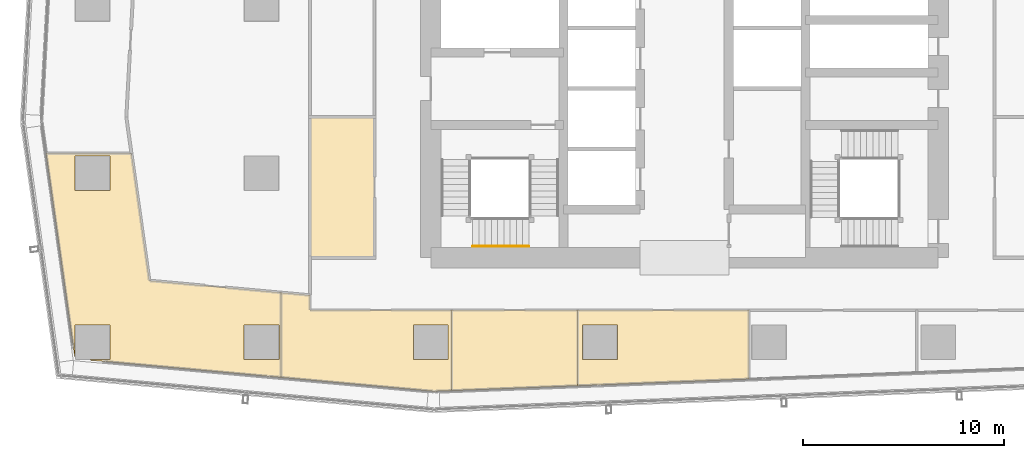
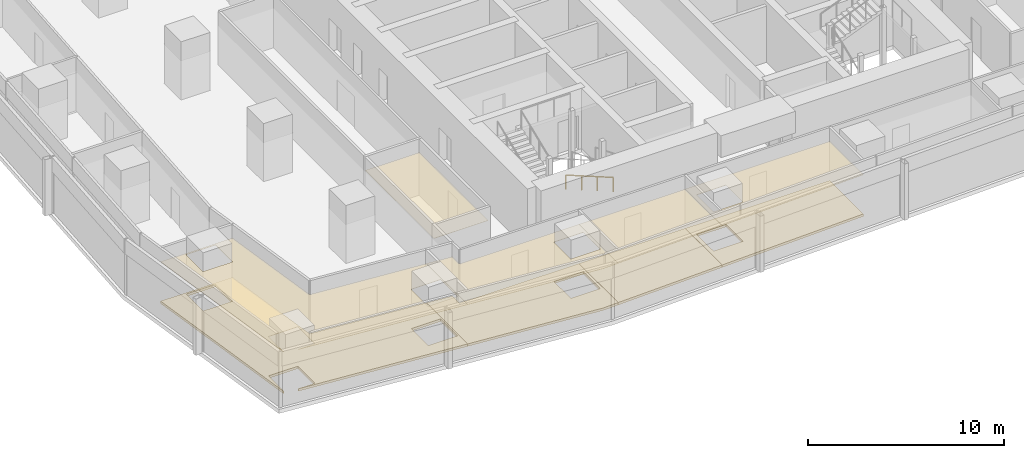
# One storey, part 33 of 40: 9 coverings, 1 railing.
"""IFC4 building model written with IfcOpenShell, lengths in metres."""

from ifc_helpers import new_model, si_unit, direction, frame, origin, origin_2d, place, context, subcontext, project, spatial, polyline, circle, outline, extrude, material, layer, layer_set, type_object, element, save


model = new_model("IFC4")

# Units and contexts
model_context = context("Model", 3, precision=1e-05, world=origin(), true_north=direction((0.0, 1.0)))
body_context = subcontext(model_context, "Body", "Model", "MODEL_VIEW")
ifc_project = project(units=[si_unit("LENGTHUNIT", "METRE"), si_unit("AREAUNIT", "SQUARE_METRE"), si_unit("VOLUMEUNIT", "CUBIC_METRE"), si_unit("PLANEANGLEUNIT", "RADIAN"), si_unit("MASSUNIT", "GRAM", prefix="KILO")], contexts=[model_context])

# Site, building, storey
site_placement = place(None, origin())
site = spatial("IfcSite", under=ifc_project, at=site_placement, CompositionType="ELEMENT")
building_placement = place(site_placement, origin())
building = spatial("IfcBuilding", under=site, at=building_placement, Name="Rekha Terrace Tower", CompositionType="ELEMENT")
storey_placement = place(building_placement, frame((0.0, 0.0, 125.300048828125)))
storey = spatial("IfcBuildingStorey", under=building, at=storey_placement, Name="L31", CompositionType="ELEMENT", Elevation=125.300048828125)

# Coverings
ifc_material_1 = material(Name="Mineral fibre tile in exposed grid", Category="finish")
ifc_layer_1 = layer(ifc_material_1, 0.02001953125)
ifc_layer_set_1 = layer_set([ifc_layer_1], Name="Mineral fibre tile in exposed grid")
covering_type_1 = type_object("IfcCoveringType", Name="CL1 600x1200 office grid ceiling", PredefinedType="CEILING", material=ifc_layer_set_1)
covering_1_placement = place(storey_placement, frame((0.0, 0.0, 2.579833984375)))
element("IfcCovering", 1, at=covering_1_placement, inside=storey, type_object=covering_type_1, Name="Ceiling L31-21", PredefinedType="CEILING", context=body_context, shape_type="SweptSolid", body=[
    extrude(outline(polyline([(7.514892578125, 16.096923828125), (7.534912109375, 16.097900390625), (7.534912109375, 17.6650390625), (9.264892578125, 17.6650390625), (9.264892578125, 15.93505859375), (8.283935546875, 15.93505859375), (8.282958984375, 15.912109375), (17.751953125, 15.052001953125), (17.751953125, 19.26904296875), (11.22607421875, 19.862060546875), (10.3359375, 26.176025390625), (6.094970703125, 26.176025390625), (7.514892578125, 16.096923828125)]), holes=[polyline([(17.6650390625, 15.93505859375), (15.93505859375, 15.93505859375), (15.93505859375, 17.6650390625), (17.6650390625, 17.6650390625), (17.6650390625, 15.93505859375)]), polyline([(9.264892578125, 24.3349609375), (7.534912109375, 24.3349609375), (7.534912109375, 26.06494140625), (9.264892578125, 26.06494140625), (9.264892578125, 24.3349609375)])]), origin(), (0.0, 0.0, 1.0), 0.02001953125),
])
covering_2_placement = place(storey_placement, frame((0.0, 0.0, 2.579833984375)))
element("IfcCovering", 2, at=covering_2_placement, inside=storey, type_object=covering_type_1, Name="Ceiling L31-22", PredefinedType="CEILING", context=body_context, shape_type="SweptSolid", body=[
    extrude(outline(polyline([(19.199951171875, 18.39990234375), (19.199951171875, 19.137939453125), (17.7529296875, 19.26904296875), (17.7529296875, 15.052001953125), (25.346923828125, 14.362060546875), (26.23388671875, 14.39697265625), (26.23388671875, 18.39990234375), (19.199951171875, 18.39990234375)]), holes=[polyline([(26.06494140625, 17.6650390625), (26.06494140625, 15.93505859375), (24.3349609375, 15.93505859375), (24.3349609375, 17.6650390625), (26.06494140625, 17.6650390625)])]), origin(), (0.0, 0.0, 1.0), 0.02001953125),
])
covering_3_placement = place(storey_placement, frame((0.0, 0.0, 2.579833984375)))
element("IfcCovering", 3, at=covering_3_placement, inside=storey, type_object=covering_type_1, Name="Ceiling L31-23", PredefinedType="CEILING", context=body_context, shape_type="SweptSolid", body=[
    extrude(outline(polyline([(26.235107421875, 18.39990234375), (26.235107421875, 14.39697265625), (32.493896484375, 14.639892578125), (32.493896484375, 18.39990234375), (26.235107421875, 18.39990234375)])), origin(), (0.0, 0.0, 1.0), 0.02001953125),
])
covering_4_placement = place(storey_placement, frame((0.0, 0.0, 2.579833984375)))
element("IfcCovering", 4, at=covering_4_placement, inside=storey, type_object=covering_type_1, Name="Ceiling L31-24", PredefinedType="CEILING", context=body_context, shape_type="SweptSolid", body=[
    extrude(outline(polyline([(32.4951171875, 18.39990234375), (32.4951171875, 14.639892578125), (41.0009765625, 14.970947265625), (41.0009765625, 18.39990234375), (32.4951171875, 18.39990234375)]), holes=[polyline([(34.465087890625, 15.93505859375), (32.735107421875, 15.93505859375), (32.735107421875, 17.6650390625), (34.465087890625, 17.6650390625), (34.465087890625, 15.93505859375)])]), origin(), (0.0, 0.0, 1.0), 0.02001953125),
])
ifc_material_2 = material(Name="Fibre cement board", Category="finish")
ifc_layer_2 = layer(ifc_material_2, 0.014892578125)
ifc_layer_set_2 = layer_set([ifc_layer_2], Name="Fibre cement board")
covering_type_2 = type_object("IfcCoveringType", Name="CL2 moisture-resistant board ceiling", PredefinedType="CEILING", material=ifc_layer_set_2)
covering_5_placement = place(storey_placement, frame((0.0, 0.0, 2.5849609375)))
element("IfcCovering", 5, at=covering_5_placement, inside=storey, type_object=covering_type_2, Name="Ceiling L31-WCM", PredefinedType="CEILING", context=body_context, shape_type="SweptSolid", body=[
    extrude(outline(polyline([(22.39990234375, 28.0), (19.199951171875, 28.0), (19.199951171875, 21.0), (22.39990234375, 21.0), (22.39990234375, 28.0)])), origin(), (0.0, 0.0, 1.0), 0.014892578125),
])

# Railing
ifc_material_3 = material(Name="Stainless steel tube", Category="steel")
railing_type = type_object("IfcRailingType", Name="HR1 900 stair handrail", PredefinedType="HANDRAIL", material=ifc_material_3)
railing_placement = place(storey_placement, frame((30.074951171875, 21.56005859375, 1.375)))
element("IfcRailing", 6, at=railing_placement, inside=storey, type_object=railing_type, Name="Handrail ST1 L31 flight 2", PredefinedType="HANDRAIL", context=body_context, shape_type="SweptSolid", body=[
    extrude(circle(Radius=0.02392578125, at=origin_2d()), frame((0.0, 0.0, 0.8759765625), z_axis=(-0.927443287984, 0.0, 0.373963831907), x_axis=(0.0, -1.0, 0.0)), (0.0, 0.0, 1.0), 3.00830078125),
    extrude(circle(Radius=0.02099609375, at=origin_2d()), origin(), (0.0, 0.0, 1.0), 0.851806640625),
    extrude(circle(Radius=0.02099609375, at=origin_2d()), frame((-0.929931640625, 0.0, 0.375)), (0.0, 0.0, 1.0), 0.851806640625),
    extrude(circle(Radius=0.02099609375, at=origin_2d()), frame((-1.860107421875, 0.0, 0.75)), (0.0, 0.0, 1.0), 0.851806640625),
    extrude(circle(Radius=0.02099609375, at=origin_2d()), frame((-2.7900390625, 0.0, 1.125)), (0.0, 0.0, 1.0), 0.851806640625),
])

# Coverings
ifc_material_4 = material(Name="Calcium sulphate panels on steel pedestals", Category="steel")
ifc_layer_3 = layer(ifc_material_4, 0.14990234375)
ifc_layer_set_3 = layer_set([ifc_layer_3], Name="Calcium sulphate panels on steel pedestals")
covering_type_3 = type_object("IfcCoveringType", Name="RF1 150 raised access floor", PredefinedType="FLOORING", material=ifc_layer_set_3)
covering_6_placement = place(storey_placement, origin())
element("IfcCovering", 7, at=covering_6_placement, inside=storey, type_object=covering_type_3, Name="Raised floor L31-21", PredefinedType="FLOORING", context=body_context, shape_type="SweptSolid", body=[
    extrude(outline(polyline([(7.514892578125, 16.096923828125), (7.534912109375, 16.097900390625), (7.534912109375, 17.6650390625), (9.264892578125, 17.6650390625), (9.264892578125, 15.93505859375), (8.283935546875, 15.93505859375), (8.282958984375, 15.912109375), (17.751953125, 15.052001953125), (17.751953125, 19.26904296875), (11.22607421875, 19.862060546875), (10.3359375, 26.176025390625), (6.094970703125, 26.176025390625), (7.514892578125, 16.096923828125)]), holes=[polyline([(17.6650390625, 15.93505859375), (15.93505859375, 15.93505859375), (15.93505859375, 17.6650390625), (17.6650390625, 17.6650390625), (17.6650390625, 15.93505859375)]), polyline([(9.264892578125, 24.3349609375), (7.534912109375, 24.3349609375), (7.534912109375, 26.06494140625), (9.264892578125, 26.06494140625), (9.264892578125, 24.3349609375)])]), origin(), (0.0, 0.0, 1.0), 0.14990234375),
])
covering_7_placement = place(storey_placement, origin())
element("IfcCovering", 8, at=covering_7_placement, inside=storey, type_object=covering_type_3, Name="Raised floor L31-22", PredefinedType="FLOORING", context=body_context, shape_type="SweptSolid", body=[
    extrude(outline(polyline([(19.199951171875, 18.39990234375), (19.199951171875, 19.137939453125), (17.7529296875, 19.26904296875), (17.7529296875, 15.052001953125), (25.346923828125, 14.362060546875), (26.23388671875, 14.39697265625), (26.23388671875, 18.39990234375), (19.199951171875, 18.39990234375)]), holes=[polyline([(26.06494140625, 17.6650390625), (26.06494140625, 15.93505859375), (24.3349609375, 15.93505859375), (24.3349609375, 17.6650390625), (26.06494140625, 17.6650390625)])]), origin(), (0.0, 0.0, 1.0), 0.14990234375),
])
covering_8_placement = place(storey_placement, origin())
element("IfcCovering", 9, at=covering_8_placement, inside=storey, type_object=covering_type_3, Name="Raised floor L31-23", PredefinedType="FLOORING", context=body_context, shape_type="SweptSolid", body=[
    extrude(outline(polyline([(26.235107421875, 18.39990234375), (26.235107421875, 14.39697265625), (32.493896484375, 14.639892578125), (32.493896484375, 18.39990234375), (26.235107421875, 18.39990234375)])), origin(), (0.0, 0.0, 1.0), 0.14990234375),
])
covering_9_placement = place(storey_placement, origin())
element("IfcCovering", 10, at=covering_9_placement, inside=storey, type_object=covering_type_3, Name="Raised floor L31-24", PredefinedType="FLOORING", context=body_context, shape_type="SweptSolid", body=[
    extrude(outline(polyline([(32.4951171875, 18.39990234375), (32.4951171875, 14.639892578125), (41.0009765625, 14.970947265625), (41.0009765625, 18.39990234375), (32.4951171875, 18.39990234375)]), holes=[polyline([(34.465087890625, 15.93505859375), (32.735107421875, 15.93505859375), (32.735107421875, 17.6650390625), (34.465087890625, 17.6650390625), (34.465087890625, 15.93505859375)])]), origin(), (0.0, 0.0, 1.0), 0.14990234375),
])

save(model, "model.ifc")
